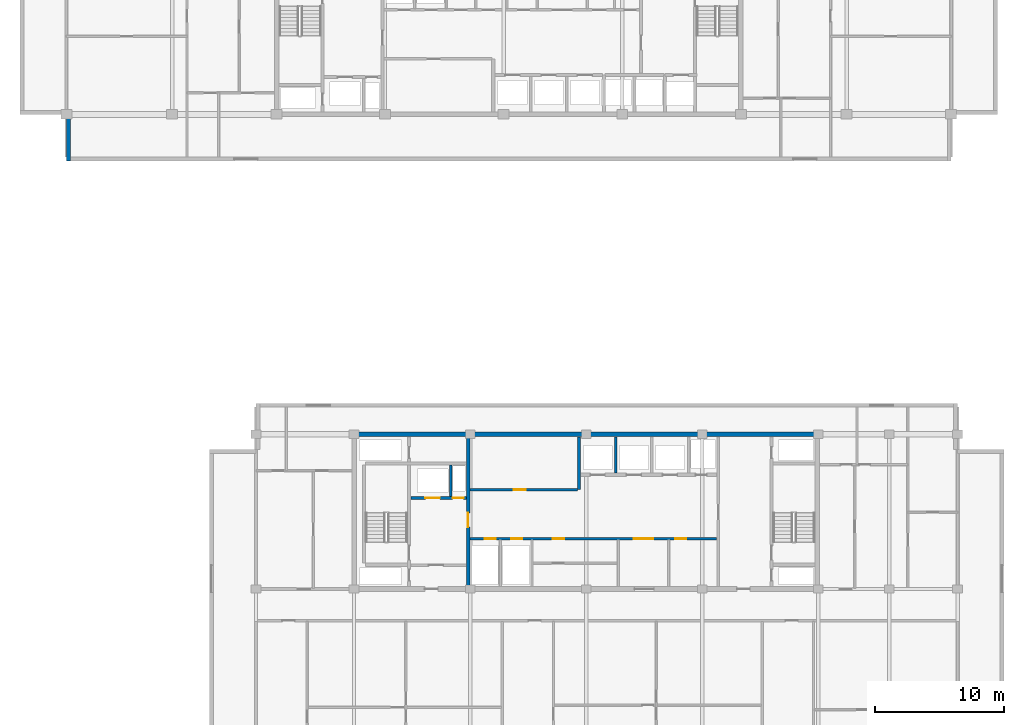
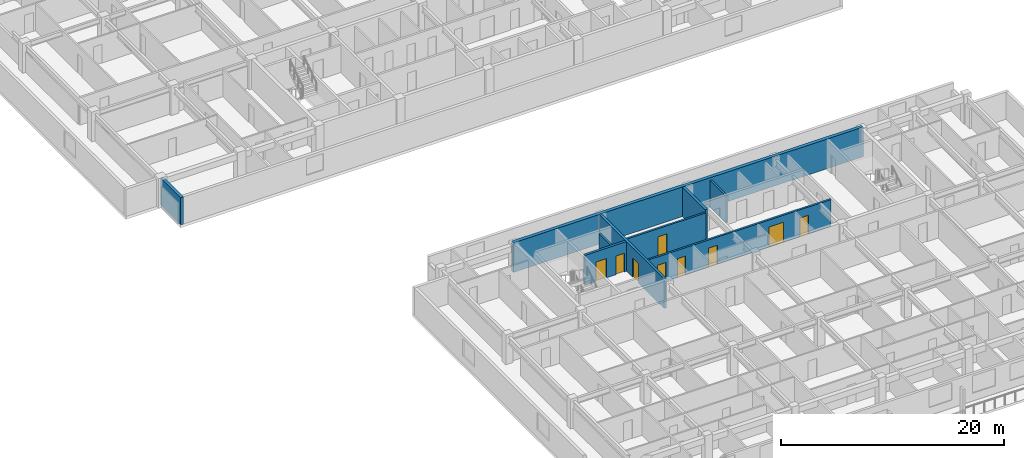
# One storey, part 7 of 23: 9 doors, 9 walls, 9 openings.
"""IFC4 building model written with IfcOpenShell, lengths in metres."""

from ifc_helpers import new_model, si_unit, direction, frame, frame_2d, origin, place, context, subcontext, project, spatial, rectangle, extrude, material, layer, layer_set, type_object, element, fill, save


model = new_model("IFC4")

# Units and contexts
model_context = context("Model", 3, precision=1e-05, world=origin(), true_north=direction((0.0, 1.0)))
body_context = subcontext(model_context, "Body", "Model", "MODEL_VIEW")
ifc_project = project(units=[si_unit("LENGTHUNIT", "METRE"), si_unit("AREAUNIT", "SQUARE_METRE"), si_unit("VOLUMEUNIT", "CUBIC_METRE"), si_unit("PLANEANGLEUNIT", "RADIAN"), si_unit("MASSUNIT", "GRAM", prefix="KILO")], contexts=[model_context])

# Site, building, storey
site_placement = place(None, origin())
site = spatial("IfcSite", under=ifc_project, at=site_placement, CompositionType="ELEMENT")
building_placement = place(site_placement, origin())
building = spatial("IfcBuilding", under=site, at=building_placement, Name="Korimba Cascade Residences", CompositionType="ELEMENT")
storey_placement = place(building_placement, frame((0.0, 0.0, 162.10009765625)))
storey = spatial("IfcBuildingStorey", under=building, at=storey_placement, Name="L46", CompositionType="ELEMENT", Elevation=162.10009765625)

# Walls
ifc_material_1 = material(Name="Precast concrete C40/50", Category="concrete")
ifc_layer_1 = layer(ifc_material_1, 0.300048828125)
ifc_layer_set_1 = layer_set([ifc_layer_1], Name="Precast concrete C40/50")
wall_type_1 = type_object("IfcWallType", Name="EW-STONE-300", PredefinedType="STANDARD", material=ifc_layer_set_1)
wall_1_placement = place(storey_placement, frame((59.949951171875, 55.199951171875, 0.0), z_axis=(0.0, 0.0, 1.0), x_axis=(0.0, -1.0, 0.0)))
element("IfcWall", 1, at=wall_1_placement, inside=storey, type_object=wall_type_1, Name="L46 T1 Perimeter Stone Wall E11", PredefinedType="STANDARD", context=body_context, shape_type="SweptSolid", body=[
    extrude(rectangle(XDim=3.599853515625, YDim=0.300048828125, at=frame_2d((1.7998046875, 0.0))), origin(), (0.0, 0.0, 1.0), 2.969970703125),
])
ifc_material_2 = material(Name="Concrete C65/80", Category="concrete")
ifc_layer_2 = layer(ifc_material_2, 0.35009765625)
ifc_layer_set_2 = layer_set([ifc_layer_2], Name="Concrete C65/80")
wall_type_2 = type_object("IfcWallType", Name="WAL-CORE-350", PredefinedType="SHEAR", material=ifc_layer_set_2)
wall_2_placement = place(storey_placement, frame((81.925048828125, 30.39990234375, 0.0), z_axis=(0.0, 0.0, 1.0), x_axis=(1.0, 0.0, 0.0)))
element("IfcWall", 2, at=wall_2_placement, inside=storey, type_object=wall_type_2, Name="L46 Core Shear Wall CW-L46-T2-N", PredefinedType="SHEAR", context=body_context, shape_type="SweptSolid", body=[
    extrude(rectangle(XDim=36.264892578125, YDim=0.35009765625, at=frame_2d((18.13232421875, 0.0))), origin(), (0.0, 0.0, 1.0), 3.25),
])
ifc_material_3 = material(Name="Concrete C40/50", Category="concrete")
ifc_layer_3 = layer(ifc_material_3, 0.199951171875)
ifc_layer_set_3 = layer_set([ifc_layer_3], Name="Concrete C40/50")
wall_type_3 = type_object("IfcWallType", Name="WAL-PART-200", PredefinedType="PARTITIONING", material=ifc_layer_set_3)
wall_3_placement = place(storey_placement, frame((89.60009765625, 25.580078125, 0.0), z_axis=(0.0, 0.0, 1.0), x_axis=(0.0, 1.0, 0.0)))
element("IfcWall", 3, at=wall_3_placement, inside=storey, type_object=wall_type_3, Name="L46 Partition Wall CW-L46-T2-FFLDIV", PredefinedType="PARTITIONING", context=body_context, shape_type="SweptSolid", body=[
    extrude(rectangle(XDim=2.419921875, YDim=0.199951171875, at=frame_2d((1.2099609375, 0.0))), origin(), (0.0, 0.0, 1.0), 2.969970703125),
])

# Wall, opening, door
wall_4_placement = place(storey_placement, frame((91.080078125, 26.10009765625, 0.0), z_axis=(0.0, 0.0, 1.0), x_axis=(1.0, 0.0, 0.0)))
wall_4 = element("IfcWall", 4, at=wall_4_placement, inside=storey, type_object=wall_type_3, Name="L46 Partition Wall CW-L46-T2-B1RS", PredefinedType="PARTITIONING", context=body_context, shape_type="SweptSolid", body=[
    extrude(rectangle(XDim=8.33984375, YDim=0.199951171875, at=frame_2d((4.169921875, 0.0))), origin(), (0.0, 0.0, 1.0), 2.969970703125),
])
opening_1_placement = place(wall_4_placement, frame((3.39990234375, 0.0, 0.0)))
opening_1 = element("IfcOpeningElement", 5, at=opening_1_placement, cuts=wall_4, Name="Opening D-ST1", PredefinedType="OPENING", context=body_context, shape_type="SweptSolid", body=[
    extrude(rectangle(XDim=0.919921875, YDim=2.080078125, at=frame_2d((0.4599609375, 1.0400390625))), frame((0.0, 0.10986328125, 0.0), z_axis=(0.0, -1.0, 0.0), x_axis=(1.0, 0.0, 0.0)), (0.0, 0.0, 1.0), 0.219970703125),
])
ifc_material_4 = material(Name="Fire-Rated Core Store Door", Category="wood")
door_type_1 = type_object("IfcDoorType", Name="DR-FD60-920", OperationType="NOTDEFINED", PredefinedType="DOOR", material=ifc_material_4)
door_1_placement = place(opening_1_placement, origin())
door_1 = element("IfcDoor", 6, at=door_1_placement, inside=storey, type_object=door_type_1, Name="L46 T2 Resident Storage Door", OperationType="SINGLE_SWING_LEFT", OverallHeight=2.080078125, OverallWidth=0.919921875, PredefinedType="DOOR", context=body_context, shape_type="SweptSolid", body=[
    extrude(rectangle(XDim=0.919921875, YDim=2.080078125, at=frame_2d((0.4599609375, 1.0400390625))), frame((0.0, 0.02490234375, 0.0), z_axis=(0.0, -1.0, 0.0), x_axis=(1.0, 0.0, 0.0)), (0.0, 0.0, 1.0), 0.050048828125),
])
fill(opening_1, door_1)

# Wall
wall_5_placement = place(storey_placement, frame((102.39990234375, 27.3798828125, 0.0), z_axis=(0.0, 0.0, 1.0), x_axis=(0.0, 1.0, 0.0)))
element("IfcWall", 7, at=wall_5_placement, inside=storey, type_object=wall_type_3, Name="L46 Partition Wall CW-L46-T2-B2D1", PredefinedType="PARTITIONING", context=body_context, shape_type="SweptSolid", body=[
    extrude(rectangle(XDim=2.820068359375, YDim=0.199951171875, at=frame_2d((1.41015625, 0.0))), origin(), (0.0, 0.0, 1.0), 2.969970703125),
])

# Wall, openings, doors
wall_6_placement = place(storey_placement, frame((91.080078125, 22.300048828125, 0.0), z_axis=(0.0, 0.0, 1.0), x_axis=(1.0, 0.0, 0.0)))
wall_6 = element("IfcWall", 8, at=wall_6_placement, inside=storey, type_object=wall_type_3, Name="L46 Partition Wall CW-L46-T2-SRVROW", PredefinedType="PARTITIONING", context=body_context, shape_type="SweptSolid", body=[
    extrude(rectangle(XDim=19.139892578125, YDim=0.199951171875, at=frame_2d((9.56982421875, 0.0))), origin(), (0.0, 0.0, 1.0), 2.969970703125),
])
opening_2_placement = place(wall_6_placement, frame((1.14990234375, 0.0, 0.0)))
opening_2 = element("IfcOpeningElement", 9, at=opening_2_placement, cuts=wall_6, Name="Opening D-RS1", PredefinedType="OPENING", context=body_context, shape_type="SweptSolid", body=[
    extrude(rectangle(XDim=0.85009765625, YDim=2.050048828125, at=frame_2d((0.425048828125, 1.02490234375))), frame((0.0, 0.10986328125, 0.0), z_axis=(0.0, -1.0, 0.0), x_axis=(1.0, 0.0, 0.0)), (0.0, 0.0, 1.0), 0.219970703125),
])
opening_3_placement = place(wall_6_placement, frame((3.199951171875, 0.0, 0.0)))
opening_3 = element("IfcOpeningElement", 10, at=opening_3_placement, cuts=wall_6, Name="Opening D-RS1", PredefinedType="OPENING", context=body_context, shape_type="SweptSolid", body=[
    extrude(rectangle(XDim=0.85009765625, YDim=2.050048828125, at=frame_2d((0.425048828125, 1.02490234375))), frame((0.0, 0.10986328125, 0.0), z_axis=(0.0, -1.0, 0.0), x_axis=(1.0, 0.0, 0.0)), (0.0, 0.0, 1.0), 0.219970703125),
])
opening_4_placement = place(wall_6_placement, frame((12.719970703125, 0.0, 0.0)))
opening_4 = element("IfcOpeningElement", 11, at=opening_4_placement, cuts=wall_6, Name="Opening D-FD8", PredefinedType="OPENING", context=body_context, shape_type="SweptSolid", body=[
    extrude(rectangle(XDim=1.5, YDim=2.199951171875, at=frame_2d((0.75, 1.10009765625))), frame((0.0, 0.10986328125, 0.0), z_axis=(0.0, -1.0, 0.0), x_axis=(1.0, 0.0, 0.0)), (0.0, 0.0, 1.0), 0.219970703125),
])
opening_5_placement = place(wall_6_placement, frame((6.419921875, 0.0, 0.0)))
opening_5 = element("IfcOpeningElement", 12, at=opening_5_placement, cuts=wall_6, Name="Opening D-IN1", PredefinedType="OPENING", context=body_context, shape_type="SweptSolid", body=[
    extrude(rectangle(XDim=0.919921875, YDim=2.080078125, at=frame_2d((0.4599609375, 1.0400390625))), frame((0.0, 0.10986328125, 0.0), z_axis=(0.0, -1.0, 0.0), x_axis=(1.0, 0.0, 0.0)), (0.0, 0.0, 1.0), 0.219970703125),
])
opening_6_placement = place(wall_6_placement, frame((15.919921875, 0.0, 0.0)))
opening_6 = element("IfcOpeningElement", 13, at=opening_6_placement, cuts=wall_6, Name="Opening D-IN2", PredefinedType="OPENING", context=body_context, shape_type="SweptSolid", body=[
    extrude(rectangle(XDim=0.8798828125, YDim=2.06005859375, at=frame_2d((0.43994140625, 1.030029296875))), frame((0.0, 0.10986328125, 0.0), z_axis=(0.0, -1.0, 0.0), x_axis=(1.0, 0.0, 0.0)), (0.0, 0.0, 1.0), 0.219970703125),
])
ifc_material_5 = material(Name="Fire-Rated Steel Riser Access Door", Category="steel")
door_type_2 = type_object("IfcDoorType", Name="DR-FD60-850", OperationType="NOTDEFINED", PredefinedType="DOOR", material=ifc_material_5)
door_2_placement = place(opening_2_placement, origin())
door_2 = element("IfcDoor", 14, at=door_2_placement, inside=storey, type_object=door_type_2, Name="L46 T2 Electrical Riser Door", OperationType="SINGLE_SWING_RIGHT", OverallHeight=2.050048828125, OverallWidth=0.85009765625, PredefinedType="DOOR", context=body_context, shape_type="SweptSolid", body=[
    extrude(rectangle(XDim=0.85009765625, YDim=2.050048828125, at=frame_2d((0.425048828125, 1.02490234375))), frame((0.0, 0.02490234375, 0.0), z_axis=(0.0, -1.0, 0.0), x_axis=(1.0, 0.0, 0.0)), (0.0, 0.0, 1.0), 0.050048828125),
])
fill(opening_2, door_2)
door_3_placement = place(opening_3_placement, origin())
door_3 = element("IfcDoor", 15, at=door_3_placement, inside=storey, type_object=door_type_2, Name="L46 T2 Plumbing Riser Door", OperationType="SINGLE_SWING_LEFT", OverallHeight=2.050048828125, OverallWidth=0.85009765625, PredefinedType="DOOR", context=body_context, shape_type="SweptSolid", body=[
    extrude(rectangle(XDim=0.85009765625, YDim=2.050048828125, at=frame_2d((0.425048828125, 1.02490234375))), frame((0.0, 0.02490234375, 0.0), z_axis=(0.0, -1.0, 0.0), x_axis=(1.0, 0.0, 0.0)), (0.0, 0.0, 1.0), 0.050048828125),
])
fill(opening_3, door_3)
ifc_material_6 = material(Name="Fire-Rated Glazed Lift Lobby Double Door", Category="glass")
door_type_3 = type_object("IfcDoorType", Name="DR-FD90-1500", OperationType="NOTDEFINED", PredefinedType="DOOR", material=ifc_material_6)
door_4_placement = place(opening_4_placement, origin())
door_4 = element("IfcDoor", 16, at=door_4_placement, inside=storey, type_object=door_type_3, Name="L46 T2 Lift Lobby Foyer Door", OperationType="DOUBLE_DOOR_SINGLE_SWING", OverallHeight=2.199951171875, OverallWidth=1.5, PredefinedType="DOOR", context=body_context, shape_type="SweptSolid", body=[
    extrude(rectangle(XDim=1.5, YDim=2.199951171875, at=frame_2d((0.75, 1.10009765625))), frame((0.0, 0.02490234375, 0.0), z_axis=(0.0, -1.0, 0.0), x_axis=(1.0, 0.0, 0.0)), (0.0, 0.0, 1.0), 0.050048828125),
])
fill(opening_4, door_4)
ifc_material_7 = material(Name="Acoustic Timber Bedroom Door", Category="wood")
door_type_4 = type_object("IfcDoorType", Name="DR-INT-880", OperationType="NOTDEFINED", PredefinedType="DOOR", material=ifc_material_7)
door_5_placement = place(opening_6_placement, origin())
door_5 = element("IfcDoor", 17, at=door_5_placement, inside=storey, type_object=door_type_4, Name="L46 T2 Staff WC Door", OperationType="SINGLE_SWING_LEFT", OverallHeight=2.06005859375, OverallWidth=0.8798828125, PredefinedType="DOOR", context=body_context, shape_type="SweptSolid", body=[
    extrude(rectangle(XDim=0.8798828125, YDim=2.06005859375, at=frame_2d((0.43994140625, 1.030029296875))), frame((0.0, 0.02490234375, 0.0), z_axis=(0.0, -1.0, 0.0), x_axis=(1.0, 0.0, 0.0)), (0.0, 0.0, 1.0), 0.050048828125),
])
fill(opening_6, door_5)
ifc_material_8 = material(Name="Acoustic Timber Living Door", Category="wood")
door_type_5 = type_object("IfcDoorType", Name="DR-INT-920", OperationType="NOTDEFINED", PredefinedType="DOOR", material=ifc_material_8)
door_6_placement = place(opening_5_placement, origin())
door_6 = element("IfcDoor", 18, at=door_6_placement, inside=storey, type_object=door_type_5, Name="L46 T2 Locker Door", OperationType="SINGLE_SWING_RIGHT", OverallHeight=2.080078125, OverallWidth=0.919921875, PredefinedType="DOOR", context=body_context, shape_type="SweptSolid", body=[
    extrude(rectangle(XDim=0.919921875, YDim=2.080078125, at=frame_2d((0.4599609375, 1.0400390625))), frame((0.0, 0.02490234375, 0.0), z_axis=(0.0, -1.0, 0.0), x_axis=(1.0, 0.0, 0.0)), (0.0, 0.0, 1.0), 0.050048828125),
])
fill(opening_5, door_6)

ifc_material_9 = material(Name="Concrete C50/60", Category="concrete")
ifc_layer_4 = layer(ifc_material_9, 0.25)
ifc_layer_set_4 = layer_set([ifc_layer_4], Name="Concrete C50/60")
wall_type_4 = type_object("IfcWallType", Name="WAL-SHAFT-250", PredefinedType="SHEAR", material=ifc_layer_set_4)
wall_7_placement = place(storey_placement, frame((86.5, 25.449951171875, 0.0), z_axis=(0.0, 0.0, 1.0), x_axis=(1.0, 0.0, 0.0)))
wall_7 = element("IfcWall", 19, at=wall_7_placement, inside=storey, type_object=wall_type_4, Name="L46 Core Shear Wall CW-L46-T2-FFLN", PredefinedType="SHEAR", context=body_context, shape_type="SweptSolid", body=[
    extrude(rectangle(XDim=4.320068359375, YDim=0.25, at=frame_2d((2.16015625, 0.0))), origin(), (0.0, 0.0, 1.0), 3.25),
])
opening_7_placement = place(wall_7_placement, frame((1.139892578125, 0.0, 0.0)))
opening_7 = element("IfcOpeningElement", 20, at=opening_7_placement, cuts=wall_7, Name="Opening LD-01", PredefinedType="OPENING", context=body_context, shape_type="SweptSolid", body=[
    extrude(rectangle(XDim=1.1201171875, YDim=2.1201171875, at=frame_2d((0.56005859375, 1.06005859375))), frame((0.0, 0.135009765625, 0.0), z_axis=(0.0, -1.0, 0.0), x_axis=(1.0, 0.0, 0.0)), (0.0, 0.0, 1.0), 0.27001953125),
])
opening_8_placement = place(wall_7_placement, frame((3.25, 0.0, 0.0)))
opening_8 = element("IfcOpeningElement", 21, at=opening_8_placement, cuts=wall_7, Name="Opening D-RS1", PredefinedType="OPENING", context=body_context, shape_type="SweptSolid", body=[
    extrude(rectangle(XDim=0.85009765625, YDim=2.050048828125, at=frame_2d((0.425048828125, 1.02490234375))), frame((0.0, 0.135009765625, 0.0), z_axis=(0.0, -1.0, 0.0), x_axis=(1.0, 0.0, 0.0)), (0.0, 0.0, 1.0), 0.27001953125),
])
door_7_placement = place(opening_8_placement, origin())
door_7 = element("IfcDoor", 22, at=door_7_placement, inside=storey, type_object=door_type_2, Name="L46 T2 Pressurisation Riser Door", OperationType="SINGLE_SWING_RIGHT", OverallHeight=2.050048828125, OverallWidth=0.85009765625, PredefinedType="DOOR", context=body_context, shape_type="SweptSolid", body=[
    extrude(rectangle(XDim=0.85009765625, YDim=2.050048828125, at=frame_2d((0.425048828125, 1.02490234375))), frame((0.0, 0.02490234375, 0.0), z_axis=(0.0, -1.0, 0.0), x_axis=(1.0, 0.0, 0.0)), (0.0, 0.0, 1.0), 0.050048828125),
])
fill(opening_8, door_7)
ifc_material_10 = material(Name="Stainless Steel Lift Landing Sliding Door", Category="steel")
door_type_6 = type_object("IfcDoorType", Name="DR-LIFT-1100", OperationType="NOTDEFINED", PredefinedType="DOOR", material=ifc_material_10)
door_8_placement = place(opening_7_placement, origin())
door_8 = element("IfcDoor", 23, at=door_8_placement, inside=storey, type_object=door_type_6, Name="L46 Firefighting Lift Landing Door FFL-E1", OperationType="SLIDING_TO_RIGHT", OverallHeight=2.1201171875, OverallWidth=1.1201171875, PredefinedType="DOOR", context=body_context, shape_type="SweptSolid", body=[
    extrude(rectangle(XDim=1.1201171875, YDim=2.1201171875, at=frame_2d((0.56005859375, 1.06005859375))), frame((0.0, 0.02490234375, 0.0), z_axis=(0.0, -1.0, 0.0), x_axis=(1.0, 0.0, 0.0)), (0.0, 0.0, 1.0), 0.050048828125),
])
fill(opening_7, door_8)

# Wall, opening, door
wall_8_placement = place(storey_placement, frame((90.949951171875, 18.60009765625, 0.0), z_axis=(0.0, 0.0, 1.0), x_axis=(0.0, 1.0, 0.0)))
wall_8 = element("IfcWall", 24, at=wall_8_placement, inside=storey, type_object=wall_type_4, Name="L46 Core Shear Wall CW-L46-T2-FFLE", PredefinedType="SHEAR", context=body_context, shape_type="SweptSolid", body=[
    extrude(rectangle(XDim=11.599853515625, YDim=0.25, at=frame_2d((5.7998046875, 0.0))), origin(), (0.0, 0.0, 1.0), 3.25),
])
opening_9_placement = place(wall_8_placement, frame((4.60009765625, 0.0, 0.0)))
opening_9 = element("IfcOpeningElement", 25, at=opening_9_placement, cuts=wall_8, Name="Opening D-FD1", PredefinedType="OPENING", context=body_context, shape_type="SweptSolid", body=[
    extrude(rectangle(XDim=1.10009765625, YDim=2.10009765625, at=frame_2d((0.550048828125, 1.050048828125))), frame((0.0, 0.135009765625, 0.0), z_axis=(0.0, -1.0, 0.0), x_axis=(1.0, 0.0, 0.0)), (0.0, 0.0, 1.0), 0.27001953125),
])
ifc_material_11 = material(Name="Fire-Rated Steel Core Door", Category="steel")
door_type_7 = type_object("IfcDoorType", Name="DR-FD120-1100", OperationType="NOTDEFINED", PredefinedType="DOOR", material=ifc_material_11)
door_9_placement = place(opening_9_placement, origin())
door_9 = element("IfcDoor", 26, at=door_9_placement, inside=storey, type_object=door_type_7, Name="L46 T2 Firefighting Lobby to Lift Lobby Door", OperationType="SINGLE_SWING_RIGHT", OverallHeight=2.10009765625, OverallWidth=1.10009765625, PredefinedType="DOOR", context=body_context, shape_type="SweptSolid", body=[
    extrude(rectangle(XDim=1.10009765625, YDim=2.10009765625, at=frame_2d((0.550048828125, 1.050048828125))), frame((0.0, 0.02490234375, 0.0), z_axis=(0.0, -1.0, 0.0), x_axis=(1.0, 0.0, 0.0)), (0.0, 0.0, 1.0), 0.050048828125),
])
fill(opening_9, door_9)

# Wall
wall_9_placement = place(storey_placement, frame((99.550048828125, 26.10009765625, 0.0), z_axis=(0.0, 0.0, 1.0), x_axis=(0.0, 1.0, 0.0)))
element("IfcWall", 27, at=wall_9_placement, inside=storey, type_object=wall_type_4, Name="L46 Core Shear Wall CW-L46-T2-B12DIV", PredefinedType="SHEAR", context=body_context, shape_type="SweptSolid", body=[
    extrude(rectangle(XDim=4.099853515625, YDim=0.25, at=frame_2d((2.0498046875, 0.0))), origin(), (0.0, 0.0, 1.0), 3.25),
])

save(model, "model.ifc")
